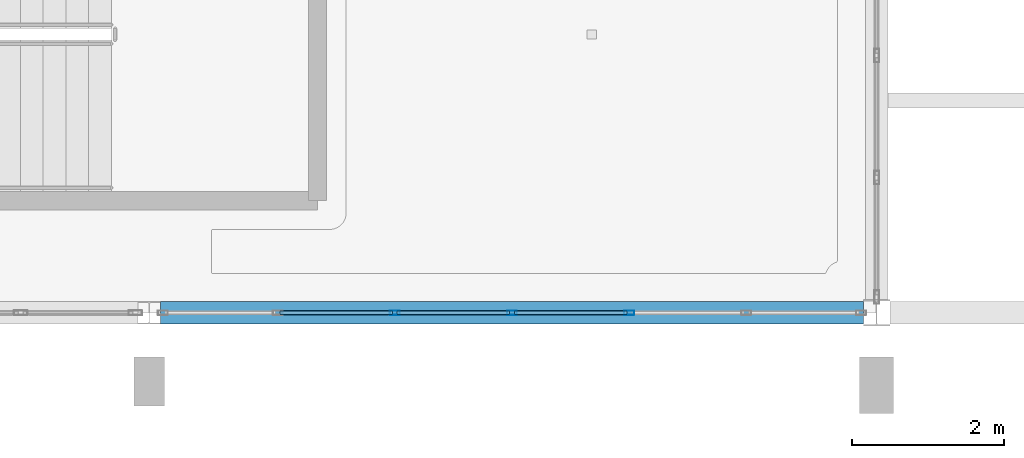
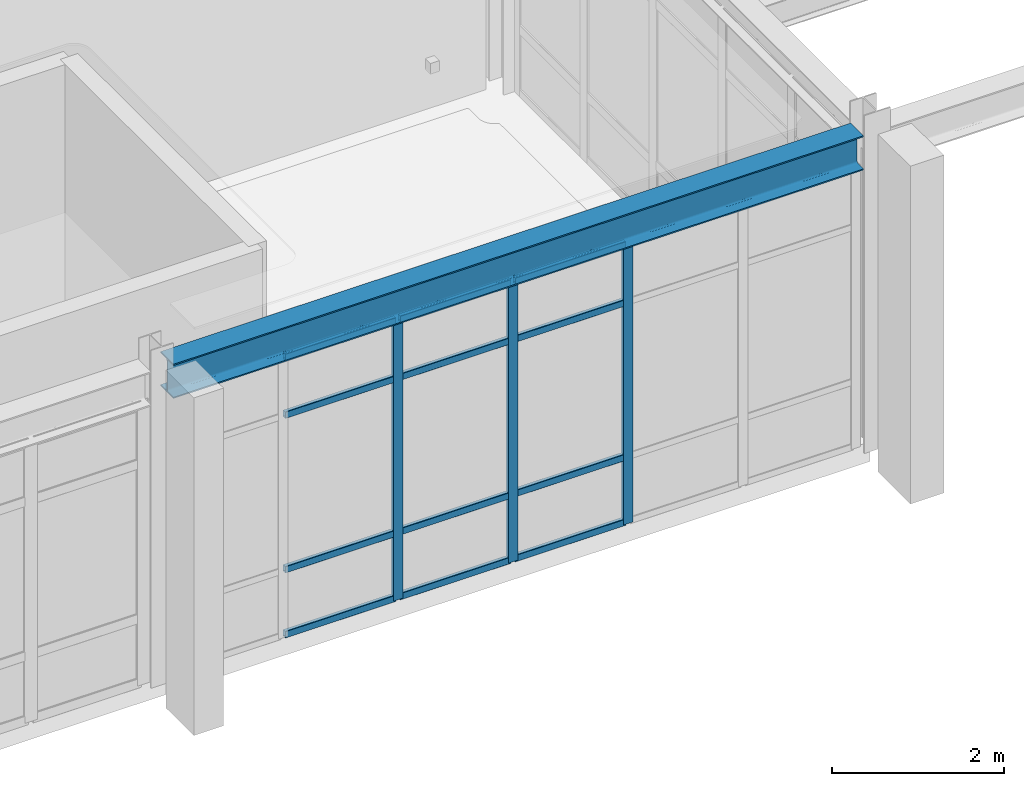
# One storey, part 31 of 139: 15 members, 1 beam, 1 element without a shape of its own.
"""IFC4 building model written with IfcOpenShell, lengths in metres."""

from ifc_helpers import new_model, si_unit, direction, frame, origin, origin_2d, place, context, subcontext, project, spatial, hollow_rectangle, i_section, extrude, material, material_profile, profile_set, type_object, element, aggregate, save


model = new_model("IFC4")

# Units and contexts
model_context = context("Model", 3, precision=1e-05, world=origin(), true_north=direction((0.0, 1.0)))
body_context = subcontext(model_context, "Body", "Model", "MODEL_VIEW")
ifc_project = project(units=[si_unit("LENGTHUNIT", "METRE"), si_unit("AREAUNIT", "SQUARE_METRE"), si_unit("VOLUMEUNIT", "CUBIC_METRE"), si_unit("PLANEANGLEUNIT", "RADIAN"), si_unit("MASSUNIT", "GRAM", prefix="KILO")], contexts=[model_context])

# Site, building, storey
site_placement = place(None, origin())
site = spatial("IfcSite", under=ifc_project, at=site_placement, CompositionType="ELEMENT")
building_placement = place(site_placement, origin())
building = spatial("IfcBuilding", under=site, at=building_placement, Name="Canglan Escarpment Cableway Terminal", CompositionType="ELEMENT")
storey_placement = place(building_placement, frame((0.0, 0.0, 14.39990234375)))
storey = spatial("IfcBuildingStorey", under=building, at=storey_placement, Name="L03", CompositionType="ELEMENT", Elevation=14.39990234375)

# Beam
ifc_material_1 = material(Name="Steel Q355B", Category="steel")
ifc_material_profile_1 = material_profile(ifc_material_1, i_section(OverallWidth=0.300048828125, OverallDepth=0.488037109375, WebThickness=0.010986328125, FlangeThickness=0.01806640625, FilletRadius=0.02587890625, at=origin_2d()), Name="HM 488x300x11x18")
ifc_profile_set_1 = profile_set([ifc_material_profile_1], Name="Steel Q355B")
beam_type = type_object("IfcBeamType", Name="BM-HM488", PredefinedType="BEAM", material=ifc_profile_set_1)
beam_placement = place(storey_placement, frame((156.949951171875, 8.0, 4.256103515625), z_axis=(1.0, 0.0, 0.0), x_axis=(0.0, 1.0, 0.0)))
element("IfcBeam", 1, at=beam_placement, inside=storey, type_object=beam_type, Name="Primary structural girder B-09", PredefinedType="BEAM", context=body_context, shape_type="SweptSolid", body=[
    extrude(i_section(OverallWidth=0.300048828125, OverallDepth=0.488037109375, WebThickness=0.010986328125, FlangeThickness=0.01806640625, FilletRadius=0.02587890625, at=origin_2d()), origin(), (0.0, 0.0, 1.0), 9.275146484375),
])

# Curtain wall, members
ifc_material_2 = material(Name="Anodized bronze aluminium and Low-E double glazing", Category="aluminium")
curtain_wall_type = type_object("IfcCurtainWallType", Name="CW-BAY-9275x4000", PredefinedType="NOTDEFINED", material=ifc_material_2)
curtain_wall_placement = place(storey_placement, origin())
curtain_wall = element("IfcCurtainWall", 2, at=curtain_wall_placement, inside=storey, type_object=curtain_wall_type, Name="Classical bay-between-piers glazed curtain wall CW-29", PredefinedType="NOTDEFINED")
ifc_material_3 = material(Name="Thermally broken anodized aluminium 6063-T6", Category="aluminium")
ifc_material_profile_2 = material_profile(ifc_material_3, hollow_rectangle(XDim=0.06005859375, YDim=0.1298828125, WallThickness=0.0029296875, InnerFilletRadius=0.0029296875, OuterFilletRadius=0.006103515625, at=origin_2d()), Name="ALU-MULL 60x130x3")
ifc_profile_set_2 = profile_set([ifc_material_profile_2], Name="Thermally broken anodized aluminium 6063-T6")
member_type_1 = type_object("IfcMemberType", Name="CWM-01", PredefinedType="MULLION", material=ifc_profile_set_2)
member_1_placement = place(storey_placement, frame((160.041748046875, 8.0, 0.0), z_axis=(0.0, 0.0, 1.0), x_axis=(0.0, 1.0, 0.0)))
member_1 = element("IfcMember", 3, at=member_1_placement, type_object=member_type_1, Name="CW-29 mullion 3", PredefinedType="MULLION", context=body_context, shape_type="SweptSolid", body=[
    extrude(hollow_rectangle(XDim=0.06005859375, YDim=0.1298828125, WallThickness=0.0029296875, InnerFilletRadius=0.0029296875, OuterFilletRadius=0.006103515625, at=origin_2d()), origin(), (0.0, 0.0, 1.0), 3.9970703125),
])
member_2_placement = place(storey_placement, frame((161.58740234375, 8.0, 0.0), z_axis=(0.0, 0.0, 1.0), x_axis=(0.0, 1.0, 0.0)))
member_2 = element("IfcMember", 4, at=member_2_placement, type_object=member_type_1, Name="CW-29 mullion 4", PredefinedType="MULLION", context=body_context, shape_type="SweptSolid", body=[
    extrude(hollow_rectangle(XDim=0.06005859375, YDim=0.1298828125, WallThickness=0.0029296875, InnerFilletRadius=0.0029296875, OuterFilletRadius=0.006103515625, at=origin_2d()), origin(), (0.0, 0.0, 1.0), 3.9970703125),
])
member_3_placement = place(storey_placement, frame((163.13330078125, 8.0, 0.0), z_axis=(0.0, 0.0, 1.0), x_axis=(0.0, 1.0, 0.0)))
member_3 = element("IfcMember", 5, at=member_3_placement, type_object=member_type_1, Name="CW-29 mullion 5", PredefinedType="MULLION", context=body_context, shape_type="SweptSolid", body=[
    extrude(hollow_rectangle(XDim=0.06005859375, YDim=0.1298828125, WallThickness=0.0029296875, InnerFilletRadius=0.0029296875, OuterFilletRadius=0.006103515625, at=origin_2d()), origin(), (0.0, 0.0, 1.0), 3.9970703125),
])
ifc_material_profile_3 = material_profile(ifc_material_3, hollow_rectangle(XDim=0.054931640625, YDim=0.094970703125, WallThickness=0.0029296875, InnerFilletRadius=0.0029296875, OuterFilletRadius=0.006103515625, at=origin_2d()), Name="ALU-TRAN 55x95x3")
ifc_profile_set_3 = profile_set([ifc_material_profile_3], Name="Thermally broken anodized aluminium 6063-T6")
member_type_2 = type_object("IfcMemberType", Name="CWT-01", PredefinedType="USERDEFINED", material=ifc_profile_set_3)
member_4_placement = place(storey_placement, frame((158.52587890625, 8.0, 0.027587890625), z_axis=(1.0, 0.0, 0.0), x_axis=(0.0, 1.0, 0.0)))
member_4 = element("IfcMember", 6, at=member_4_placement, type_object=member_type_2, Name="CW-29 transom 2.1", ObjectType="TRANSOM", PredefinedType="USERDEFINED", context=body_context, shape_type="SweptSolid", body=[
    extrude(hollow_rectangle(XDim=0.054931640625, YDim=0.094970703125, WallThickness=0.0029296875, InnerFilletRadius=0.0029296875, OuterFilletRadius=0.006103515625, at=origin_2d()), origin(), (0.0, 0.0, 1.0), 1.48583984375),
])
member_5_placement = place(storey_placement, frame((158.52587890625, 8.0, 0.9501953125), z_axis=(1.0, 0.0, 0.0), x_axis=(0.0, 1.0, 0.0)))
member_5 = element("IfcMember", 7, at=member_5_placement, type_object=member_type_2, Name="CW-29 transom 2.2", ObjectType="TRANSOM", PredefinedType="USERDEFINED", context=body_context, shape_type="SweptSolid", body=[
    extrude(hollow_rectangle(XDim=0.054931640625, YDim=0.094970703125, WallThickness=0.0029296875, InnerFilletRadius=0.0029296875, OuterFilletRadius=0.006103515625, at=origin_2d()), origin(), (0.0, 0.0, 1.0), 1.48583984375),
])
member_6_placement = place(storey_placement, frame((158.52587890625, 8.0, 3.147216796875), z_axis=(1.0, 0.0, 0.0), x_axis=(0.0, 1.0, 0.0)))
member_6 = element("IfcMember", 8, at=member_6_placement, type_object=member_type_2, Name="CW-29 transom 2.3", ObjectType="TRANSOM", PredefinedType="USERDEFINED", context=body_context, shape_type="SweptSolid", body=[
    extrude(hollow_rectangle(XDim=0.054931640625, YDim=0.094970703125, WallThickness=0.0029296875, InnerFilletRadius=0.0029296875, OuterFilletRadius=0.006103515625, at=origin_2d()), origin(), (0.0, 0.0, 1.0), 1.48583984375),
])
member_7_placement = place(storey_placement, frame((158.52587890625, 8.0, 3.969482421875), z_axis=(1.0, 0.0, 0.0), x_axis=(0.0, 1.0, 0.0)))
member_7 = element("IfcMember", 9, at=member_7_placement, type_object=member_type_2, Name="CW-29 transom 2.4", ObjectType="TRANSOM", PredefinedType="USERDEFINED", context=body_context, shape_type="SweptSolid", body=[
    extrude(hollow_rectangle(XDim=0.054931640625, YDim=0.094970703125, WallThickness=0.0029296875, InnerFilletRadius=0.0029296875, OuterFilletRadius=0.006103515625, at=origin_2d()), origin(), (0.0, 0.0, 1.0), 1.48583984375),
])
member_8_placement = place(storey_placement, frame((160.07177734375, 8.0, 0.027587890625), z_axis=(1.0, 0.0, 0.0), x_axis=(0.0, 1.0, 0.0)))
member_8 = element("IfcMember", 10, at=member_8_placement, type_object=member_type_2, Name="CW-29 transom 3.1", ObjectType="TRANSOM", PredefinedType="USERDEFINED", context=body_context, shape_type="SweptSolid", body=[
    extrude(hollow_rectangle(XDim=0.054931640625, YDim=0.094970703125, WallThickness=0.0029296875, InnerFilletRadius=0.0029296875, OuterFilletRadius=0.006103515625, at=origin_2d()), origin(), (0.0, 0.0, 1.0), 1.48583984375),
])
member_9_placement = place(storey_placement, frame((160.07177734375, 8.0, 0.9501953125), z_axis=(1.0, 0.0, 0.0), x_axis=(0.0, 1.0, 0.0)))
member_9 = element("IfcMember", 11, at=member_9_placement, type_object=member_type_2, Name="CW-29 transom 3.2", ObjectType="TRANSOM", PredefinedType="USERDEFINED", context=body_context, shape_type="SweptSolid", body=[
    extrude(hollow_rectangle(XDim=0.054931640625, YDim=0.094970703125, WallThickness=0.0029296875, InnerFilletRadius=0.0029296875, OuterFilletRadius=0.006103515625, at=origin_2d()), origin(), (0.0, 0.0, 1.0), 1.48583984375),
])
member_10_placement = place(storey_placement, frame((160.07177734375, 8.0, 3.147216796875), z_axis=(1.0, 0.0, 0.0), x_axis=(0.0, 1.0, 0.0)))
member_10 = element("IfcMember", 12, at=member_10_placement, type_object=member_type_2, Name="CW-29 transom 3.3", ObjectType="TRANSOM", PredefinedType="USERDEFINED", context=body_context, shape_type="SweptSolid", body=[
    extrude(hollow_rectangle(XDim=0.054931640625, YDim=0.094970703125, WallThickness=0.0029296875, InnerFilletRadius=0.0029296875, OuterFilletRadius=0.006103515625, at=origin_2d()), origin(), (0.0, 0.0, 1.0), 1.48583984375),
])
member_11_placement = place(storey_placement, frame((160.07177734375, 8.0, 3.969482421875), z_axis=(1.0, 0.0, 0.0), x_axis=(0.0, 1.0, 0.0)))
member_11 = element("IfcMember", 13, at=member_11_placement, type_object=member_type_2, Name="CW-29 transom 3.4", ObjectType="TRANSOM", PredefinedType="USERDEFINED", context=body_context, shape_type="SweptSolid", body=[
    extrude(hollow_rectangle(XDim=0.054931640625, YDim=0.094970703125, WallThickness=0.0029296875, InnerFilletRadius=0.0029296875, OuterFilletRadius=0.006103515625, at=origin_2d()), origin(), (0.0, 0.0, 1.0), 1.48583984375),
])
member_12_placement = place(storey_placement, frame((161.617431640625, 8.0, 0.027587890625), z_axis=(1.0, 0.0, 0.0), x_axis=(0.0, 1.0, 0.0)))
member_12 = element("IfcMember", 14, at=member_12_placement, type_object=member_type_2, Name="CW-29 transom 4.1", ObjectType="TRANSOM", PredefinedType="USERDEFINED", context=body_context, shape_type="SweptSolid", body=[
    extrude(hollow_rectangle(XDim=0.054931640625, YDim=0.094970703125, WallThickness=0.0029296875, InnerFilletRadius=0.0029296875, OuterFilletRadius=0.006103515625, at=origin_2d()), origin(), (0.0, 0.0, 1.0), 1.48583984375),
])
member_13_placement = place(storey_placement, frame((161.617431640625, 8.0, 0.9501953125), z_axis=(1.0, 0.0, 0.0), x_axis=(0.0, 1.0, 0.0)))
member_13 = element("IfcMember", 15, at=member_13_placement, type_object=member_type_2, Name="CW-29 transom 4.2", ObjectType="TRANSOM", PredefinedType="USERDEFINED", context=body_context, shape_type="SweptSolid", body=[
    extrude(hollow_rectangle(XDim=0.054931640625, YDim=0.094970703125, WallThickness=0.0029296875, InnerFilletRadius=0.0029296875, OuterFilletRadius=0.006103515625, at=origin_2d()), origin(), (0.0, 0.0, 1.0), 1.48583984375),
])
member_14_placement = place(storey_placement, frame((161.617431640625, 8.0, 3.147216796875), z_axis=(1.0, 0.0, 0.0), x_axis=(0.0, 1.0, 0.0)))
member_14 = element("IfcMember", 16, at=member_14_placement, type_object=member_type_2, Name="CW-29 transom 4.3", ObjectType="TRANSOM", PredefinedType="USERDEFINED", context=body_context, shape_type="SweptSolid", body=[
    extrude(hollow_rectangle(XDim=0.054931640625, YDim=0.094970703125, WallThickness=0.0029296875, InnerFilletRadius=0.0029296875, OuterFilletRadius=0.006103515625, at=origin_2d()), origin(), (0.0, 0.0, 1.0), 1.48583984375),
])
member_15_placement = place(storey_placement, frame((161.617431640625, 8.0, 3.969482421875), z_axis=(1.0, 0.0, 0.0), x_axis=(0.0, 1.0, 0.0)))
member_15 = element("IfcMember", 17, at=member_15_placement, type_object=member_type_2, Name="CW-29 transom 4.4", ObjectType="TRANSOM", PredefinedType="USERDEFINED", context=body_context, shape_type="SweptSolid", body=[
    extrude(hollow_rectangle(XDim=0.054931640625, YDim=0.094970703125, WallThickness=0.0029296875, InnerFilletRadius=0.0029296875, OuterFilletRadius=0.006103515625, at=origin_2d()), origin(), (0.0, 0.0, 1.0), 1.48583984375),
])
aggregate(curtain_wall, [member_1, member_2, member_3, member_4, member_5, member_6, member_7, member_8, member_9, member_10, member_11, member_12, member_13, member_14, member_15])

save(model, "model.ifc")
